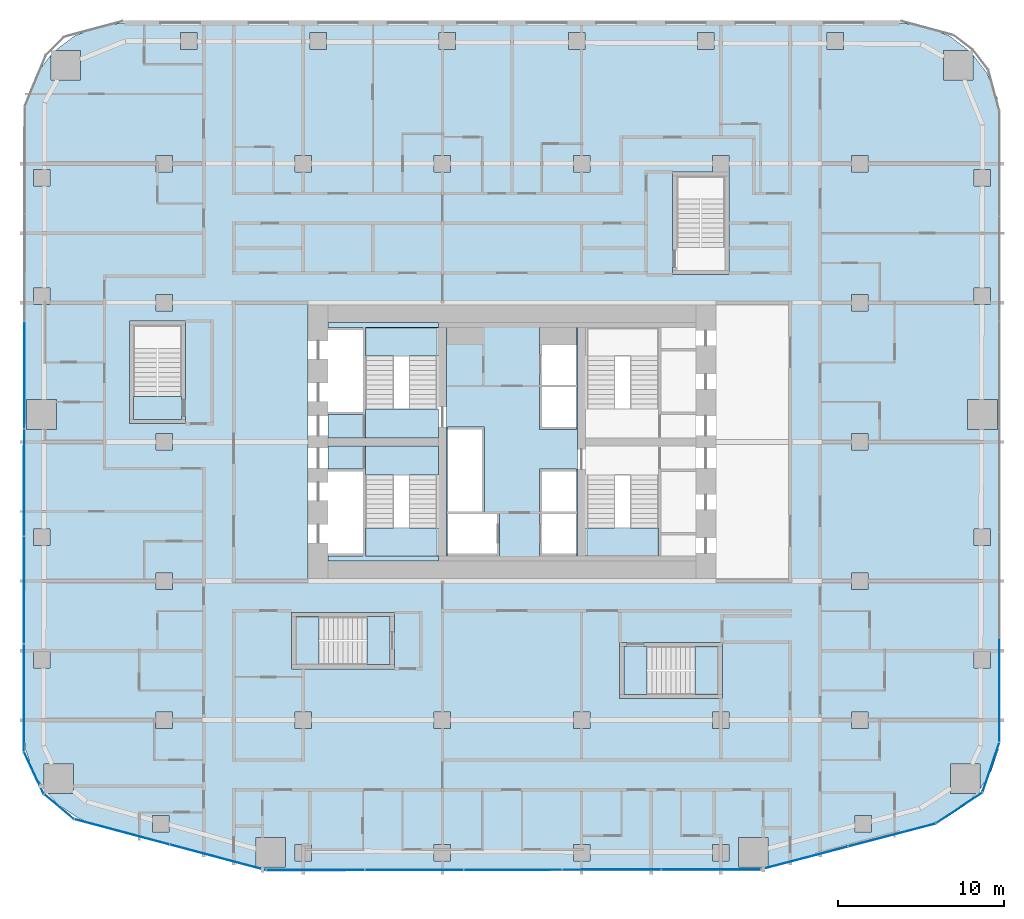
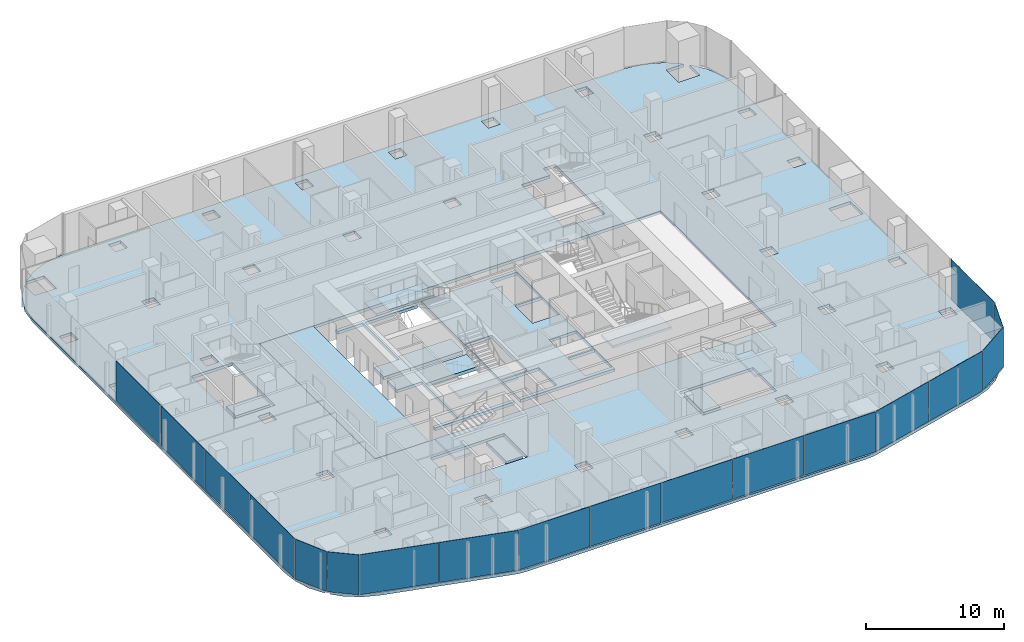
# One storey, part 14 of 26: 18 plates, 15 slabs, 14 elements without a shape of their own.
"""IFC4 building model written with IfcOpenShell, lengths in metres."""

from ifc_helpers import new_model, si_unit, direction, frame, origin, origin_2d, place, context, subcontext, project, spatial, polyline, rectangle, outline, extrude, material, layer, layer_set, type_object, element, aggregate, save


model = new_model("IFC4")

# Units and contexts
model_context = context("Model", 3, precision=1e-05, world=origin(), true_north=direction((0.0, 1.0)))
body_context = subcontext(model_context, "Body", "Model", "MODEL_VIEW")
ifc_project = project(units=[si_unit("LENGTHUNIT", "METRE"), si_unit("AREAUNIT", "SQUARE_METRE"), si_unit("VOLUMEUNIT", "CUBIC_METRE"), si_unit("PLANEANGLEUNIT", "RADIAN"), si_unit("MASSUNIT", "GRAM", prefix="KILO")], contexts=[model_context])

# Site, building, storey
site_placement = place(None, origin())
site = spatial("IfcSite", under=ifc_project, at=site_placement, CompositionType="ELEMENT")
building_placement = place(site_placement, origin())
building = spatial("IfcBuilding", under=site, at=building_placement, Name="Marenta Gate Hotel Tower", CompositionType="ELEMENT")
storey_placement = place(building_placement, frame((0.0, 0.0, 72.5)))
storey = spatial("IfcBuildingStorey", under=building, at=storey_placement, Name="L16", CompositionType="ELEMENT", Elevation=72.5)

# Slabs
ifc_material_1 = material(Name="Concrete C35", Category="concrete")
ifc_layer_1 = layer(ifc_material_1, 0.260009765625)
ifc_layer_set_1 = layer_set([ifc_layer_1], Name="Concrete C35")
slab_type_1 = type_object("IfcSlabType", Name="Concrete floor slab 260", PredefinedType="FLOOR", material=ifc_layer_set_1)
slab_1_placement = place(storey_placement, frame((0.0, 0.0, -0.260009765625)))
element("IfcSlab", 1, at=slab_1_placement, inside=storey, type_object=slab_type_1, Name="L16-SL-1", PredefinedType="FLOOR", context=body_context, shape_type="SweptSolid", body=[
    extrude(outline(polyline([(-27.313720703125, -13.56396484375), (-28.015625, -12.8330078125), (-26.462890625, -12.8330078125), (-26.462890625, -11.032958984375), (-28.262939453125, -11.032958984375), (-28.262939453125, -12.55859375), (-28.927001953125, -11.467041015625), (-29.35546875, -10.20703125), (-29.5, -8.889892578125), (-29.5, 27.6064453125), (-29.29296875, 29.178955078125), (-28.68359375, 30.650390625), (-27.83544921875, 31.755615234375), (-27.83544921875, 30.235595703125), (-26.035400390625, 30.235595703125), (-26.035400390625, 32.035400390625), (-27.555419921875, 32.035400390625), (-26.450439453125, 32.883544921875), (-24.97900390625, 33.492919921875), (-23.406494140625, 33.699951171875), (23.406494140625, 33.699951171875), (24.97900390625, 33.492919921875), (26.450439453125, 32.883544921875), (27.555419921875, 32.035400390625), (26.035400390625, 32.035400390625), (26.035400390625, 30.235595703125), (27.83544921875, 30.235595703125), (27.83544921875, 31.755615234375), (28.68359375, 30.650390625), (29.29296875, 29.178955078125), (29.5, 27.6064453125), (29.5, -8.889892578125), (29.35546875, -10.20703125), (28.927001953125, -11.467041015625), (28.262939453125, -12.55859375), (28.262939453125, -11.032958984375), (26.462890625, -11.032958984375), (26.462890625, -12.8330078125), (28.015625, -12.8330078125), (27.313720703125, -13.56396484375), (26.205810546875, -14.30126953125), (24.969482421875, -14.77880859375), (15.2265625, -17.36376953125), (14.70849609375, -17.4658203125), (14.181640625, -17.5), (-14.181640625, -17.5), (-14.70849609375, -17.4658203125), (-15.2265625, -17.36376953125), (-24.969482421875, -14.77880859375), (-26.205810546875, -14.30126953125), (-27.313720703125, -13.56396484375)]), holes=[polyline([(-16.800048828125, 0.0), (16.800048828125, 0.0), (16.800048828125, 16.800048828125), (-16.800048828125, 16.800048828125), (-16.800048828125, 0.0)]), polyline([(-13.666259765625, -15.474853515625), (-15.46630859375, -15.474853515625), (-15.46630859375, -17.27490234375), (-13.666259765625, -17.27490234375), (-13.666259765625, -15.474853515625)]), polyline([(-20.706787109375, -14.13916015625), (-21.706787109375, -14.13916015625), (-21.706787109375, -15.13916015625), (-20.706787109375, -15.13916015625), (-20.706787109375, -14.13916015625)]), polyline([(-20.5, -8.89990234375), (-20.5, -7.89990234375), (-21.5, -7.89990234375), (-21.5, -8.89990234375), (-20.5, -8.89990234375)]), polyline([(-12.10009765625, -8.89990234375), (-12.10009765625, -7.89990234375), (-13.10009765625, -7.89990234375), (-13.10009765625, -8.89990234375), (-12.10009765625, -8.89990234375)]), polyline([(-27.89990234375, -4.251953125), (-28.89990234375, -4.251953125), (-28.89990234375, -5.251953125), (-27.89990234375, -5.251953125), (-27.89990234375, -4.251953125)]), polyline([(-20.5, -0.5), (-20.5, 0.5), (-21.5, 0.5), (-21.5, -0.5), (-20.5, -0.5)]), polyline([(-27.89990234375, 2.149169921875), (-27.89990234375, 3.149169921875), (-28.89990234375, 3.149169921875), (-28.89990234375, 2.149169921875), (-27.89990234375, 2.149169921875)]), polyline([(-20.5, 8.89990234375), (-21.5, 8.89990234375), (-21.5, 7.89990234375), (-20.5, 7.89990234375), (-20.5, 8.89990234375)]), polyline([(-27.5, 9.14990234375), (-27.5, 10.949951171875), (-29.300048828125, 10.949951171875), (-29.300048828125, 9.14990234375), (-27.5, 9.14990234375)]), polyline([(-20.5, 16.300048828125), (-20.5, 17.300048828125), (-21.5, 17.300048828125), (-21.5, 16.300048828125), (-20.5, 16.300048828125)]), polyline([(-27.89990234375, 17.703125), (-28.89990234375, 17.703125), (-28.89990234375, 16.703125), (-27.89990234375, 16.703125), (-27.89990234375, 17.703125)]), polyline([(-27.89990234375, 23.8564453125), (-27.89990234375, 24.8564453125), (-28.89990234375, 24.8564453125), (-28.89990234375, 23.8564453125), (-27.89990234375, 23.8564453125)]), polyline([(-20.5, 24.699951171875), (-20.5, 25.699951171875), (-21.5, 25.699951171875), (-21.5, 24.699951171875), (-20.5, 24.699951171875)]), polyline([(-19.0068359375, 32.10009765625), (-19.0068359375, 33.10009765625), (-20.0068359375, 33.10009765625), (-20.0068359375, 32.10009765625), (-19.0068359375, 32.10009765625)]), polyline([(-12.10009765625, -16.89990234375), (-12.10009765625, -15.89990234375), (-13.10009765625, -15.89990234375), (-13.10009765625, -16.89990234375), (-12.10009765625, -16.89990234375)]), polyline([(-3.699951171875, -15.89990234375), (-4.699951171875, -15.89990234375), (-4.699951171875, -16.89990234375), (-3.699951171875, -16.89990234375), (-3.699951171875, -15.89990234375)]), polyline([(4.699951171875, -16.89990234375), (4.699951171875, -15.89990234375), (3.699951171875, -15.89990234375), (3.699951171875, -16.89990234375), (4.699951171875, -16.89990234375)]), polyline([(13.10009765625, -16.89990234375), (13.10009765625, -15.89990234375), (12.10009765625, -15.89990234375), (12.10009765625, -16.89990234375), (13.10009765625, -16.89990234375)]), polyline([(15.46630859375, -15.474853515625), (13.666259765625, -15.474853515625), (13.666259765625, -17.27490234375), (15.46630859375, -17.27490234375), (15.46630859375, -15.474853515625)]), polyline([(-3.699951171875, -8.89990234375), (-3.699951171875, -7.89990234375), (-4.699951171875, -7.89990234375), (-4.699951171875, -8.89990234375), (-3.699951171875, -8.89990234375)]), polyline([(4.699951171875, -8.89990234375), (4.699951171875, -7.89990234375), (3.699951171875, -7.89990234375), (3.699951171875, -8.89990234375), (4.699951171875, -8.89990234375)]), polyline([(13.10009765625, -7.89990234375), (12.10009765625, -7.89990234375), (12.10009765625, -8.89990234375), (13.10009765625, -8.89990234375), (13.10009765625, -7.89990234375)]), polyline([(-12.10009765625, 25.699951171875), (-13.10009765625, 25.699951171875), (-13.10009765625, 24.699951171875), (-12.10009765625, 24.699951171875), (-12.10009765625, 25.699951171875)]), polyline([(-3.699951171875, 25.699951171875), (-4.699951171875, 25.699951171875), (-4.699951171875, 24.699951171875), (-3.699951171875, 24.699951171875), (-3.699951171875, 25.699951171875)]), polyline([(4.699951171875, 24.699951171875), (4.699951171875, 25.699951171875), (3.699951171875, 25.699951171875), (3.699951171875, 24.699951171875), (4.699951171875, 24.699951171875)]), polyline([(13.10009765625, 25.699951171875), (12.10009765625, 25.699951171875), (12.10009765625, 24.699951171875), (9.699951171875, 24.699951171875), (9.699951171875, 18.5), (13.10009765625, 18.5), (13.10009765625, 25.699951171875)]), polyline([(-11.2041015625, 33.10009765625), (-12.2041015625, 33.10009765625), (-12.2041015625, 32.10009765625), (-11.2041015625, 32.10009765625), (-11.2041015625, 33.10009765625)]), polyline([(-3.4013671875, 32.10009765625), (-3.4013671875, 33.10009765625), (-4.4013671875, 33.10009765625), (-4.4013671875, 32.10009765625), (-3.4013671875, 32.10009765625)]), polyline([(4.4013671875, 32.10009765625), (4.4013671875, 33.10009765625), (3.4013671875, 33.10009765625), (3.4013671875, 32.10009765625), (4.4013671875, 32.10009765625)]), polyline([(12.2041015625, 33.10009765625), (11.2041015625, 33.10009765625), (11.2041015625, 32.10009765625), (12.2041015625, 32.10009765625), (12.2041015625, 33.10009765625)]), polyline([(21.706787109375, -15.13916015625), (21.706787109375, -14.13916015625), (20.706787109375, -14.13916015625), (20.706787109375, -15.13916015625), (21.706787109375, -15.13916015625)]), polyline([(21.5, -7.89990234375), (20.5, -7.89990234375), (20.5, -8.89990234375), (21.5, -8.89990234375), (21.5, -7.89990234375)]), polyline([(28.89990234375, -5.251953125), (28.89990234375, -4.251953125), (27.89990234375, -4.251953125), (27.89990234375, -5.251953125), (28.89990234375, -5.251953125)]), polyline([(21.5, -0.5), (21.5, 0.5), (20.5, 0.5), (20.5, -0.5), (21.5, -0.5)]), polyline([(28.89990234375, 3.149169921875), (27.89990234375, 3.149169921875), (27.89990234375, 2.149169921875), (28.89990234375, 2.149169921875), (28.89990234375, 3.149169921875)]), polyline([(21.5, 7.89990234375), (21.5, 8.89990234375), (20.5, 8.89990234375), (20.5, 7.89990234375), (21.5, 7.89990234375)]), polyline([(29.300048828125, 9.14990234375), (29.300048828125, 10.949951171875), (27.5, 10.949951171875), (27.5, 9.14990234375), (29.300048828125, 9.14990234375)]), polyline([(21.5, 17.300048828125), (20.5, 17.300048828125), (20.5, 16.300048828125), (21.5, 16.300048828125), (21.5, 17.300048828125)]), polyline([(28.89990234375, 16.703125), (28.89990234375, 17.703125), (27.89990234375, 17.703125), (27.89990234375, 16.703125), (28.89990234375, 16.703125)]), polyline([(28.89990234375, 23.8564453125), (28.89990234375, 24.8564453125), (27.89990234375, 24.8564453125), (27.89990234375, 23.8564453125), (28.89990234375, 23.8564453125)]), polyline([(21.5, 25.699951171875), (20.5, 25.699951171875), (20.5, 24.699951171875), (21.5, 24.699951171875), (21.5, 25.699951171875)]), polyline([(20.0068359375, 32.10009765625), (20.0068359375, 33.10009765625), (19.0068359375, 33.10009765625), (19.0068359375, 32.10009765625), (20.0068359375, 32.10009765625)]), polyline([(6.5, -7.10009765625), (12.699951171875, -7.10009765625), (12.699951171875, -3.699951171875), (6.5, -3.699951171875), (6.5, -7.10009765625)]), polyline([(-13.300048828125, -5.300048828125), (-7.10009765625, -5.300048828125), (-7.10009765625, -1.89990234375), (-13.300048828125, -1.89990234375), (-13.300048828125, -5.300048828125)]), polyline([(-23.10009765625, 9.5), (-19.699951171875, 9.5), (-19.699951171875, 15.699951171875), (-23.10009765625, 15.699951171875), (-23.10009765625, 9.5)])]), origin(), (0.0, 0.0, 1.0), 0.260009765625),
])
ifc_material_2 = material(Name="Concrete C40", Category="concrete")
ifc_layer_2 = layer(ifc_material_2, 0.260009765625)
ifc_layer_set_2 = layer_set([ifc_layer_2], Name="Concrete C40")
slab_type_2 = type_object("IfcSlabType", Name="Core floor slab 260", PredefinedType="FLOOR", material=ifc_layer_set_2)
slab_2_placement = place(storey_placement, frame((0.0, 0.0, -0.260009765625)))
element("IfcSlab", 2, at=slab_2_placement, inside=storey, type_object=slab_type_2, Name="L16-CF-4", PredefinedType="FLOOR", context=body_context, shape_type="SweptSolid", body=[
    extrude(outline(polyline([(3.949951171875, 15.300048828125), (3.949951171875, 10.39990234375), (3.949951171875, 6.39990234375), (3.949951171875, 1.5), (3.949951171875, 1.199951171875), (-3.949951171875, 1.199951171875), (-3.949951171875, 1.5), (-3.949951171875, 6.39990234375), (-3.949951171875, 10.39990234375), (-3.949951171875, 15.300048828125), (-3.949951171875, 15.60009765625), (3.949951171875, 15.60009765625), (3.949951171875, 15.300048828125)]), holes=[polyline([(1.64990234375, 4.050048828125), (1.64990234375, 1.64990234375), (1.64990234375, 1.5), (3.89990234375, 1.5), (3.89990234375, 1.64990234375), (3.89990234375, 4.050048828125), (1.800048828125, 4.050048828125), (1.64990234375, 4.050048828125)]), polyline([(1.64990234375, 9.14990234375), (3.89990234375, 9.14990234375), (3.89990234375, 9.300048828125), (3.89990234375, 11.699951171875), (1.800048828125, 11.699951171875), (1.64990234375, 11.699951171875), (1.64990234375, 9.300048828125), (1.64990234375, 9.14990234375)]), polyline([(1.64990234375, 11.85009765625), (1.800048828125, 11.85009765625), (3.89990234375, 11.85009765625), (3.89990234375, 14.25), (3.89990234375, 15.300048828125), (1.64990234375, 15.300048828125), (1.64990234375, 14.25), (1.64990234375, 11.85009765625)]), polyline([(3.89990234375, 6.60009765625), (3.89990234375, 6.75), (1.64990234375, 6.75), (1.64990234375, 6.60009765625), (1.64990234375, 4.199951171875), (1.800048828125, 4.199951171875), (3.89990234375, 4.199951171875), (3.89990234375, 6.60009765625)]), polyline([(-3.89990234375, 1.5), (-0.89990234375, 1.5), (-0.75, 1.5), (-0.75, 4.050048828125), (-0.89990234375, 4.050048828125), (-3.89990234375, 4.050048828125), (-3.89990234375, 1.64990234375), (-3.89990234375, 1.5)]), polyline([(-1.64990234375, 4.199951171875), (-1.64990234375, 9.14990234375), (-1.64990234375, 9.300048828125), (-3.89990234375, 9.300048828125), (-3.89990234375, 9.14990234375), (-3.89990234375, 6.75), (-3.89990234375, 6.60009765625), (-3.89990234375, 4.199951171875), (-1.800048828125, 4.199951171875), (-1.64990234375, 4.199951171875)])]), origin(), (0.0, 0.0, 1.0), 0.260009765625),
])
slab_3_placement = place(storey_placement, frame((0.0, 0.0, -0.260009765625)))
element("IfcSlab", 3, at=slab_3_placement, inside=storey, type_object=slab_type_2, Name="L16-CF-5", PredefinedType="FLOOR", context=body_context, shape_type="SweptSolid", body=[
    extrude(outline(polyline([(-9.0, 1.5), (-9.0, 1.64990234375), (-9.0, 4.050048828125), (-9.0, 4.199951171875), (-9.0, 6.60009765625), (-9.0, 6.75), (-11.10009765625, 6.75), (-11.10009765625, 8.14990234375), (-8.85009765625, 8.14990234375), (-8.85009765625, 8.10009765625), (-8.85009765625, 6.39990234375), (-8.85009765625, 1.5), (-4.449951171875, 1.5), (-4.449951171875, 1.199951171875), (-11.10009765625, 1.199951171875), (-11.10009765625, 1.5), (-9.0, 1.5)])), origin(), (0.0, 0.0, 1.0), 0.260009765625),
])
slab_4_placement = place(storey_placement, frame((0.0, 0.0, -0.260009765625)))
element("IfcSlab", 4, at=slab_4_placement, inside=storey, type_object=slab_type_2, Name="L16-CF-6", PredefinedType="FLOOR", context=body_context, shape_type="SweptSolid", body=[
    extrude(outline(polyline([(-4.449951171875, 15.300048828125), (-8.85009765625, 15.300048828125), (-8.85009765625, 10.39990234375), (-8.85009765625, 8.699951171875), (-8.85009765625, 8.64990234375), (-11.10009765625, 8.64990234375), (-11.10009765625, 10.050048828125), (-9.0, 10.050048828125), (-9.0, 10.199951171875), (-9.0, 12.60009765625), (-9.0, 12.75), (-9.0, 15.14990234375), (-9.0, 15.300048828125), (-11.10009765625, 15.300048828125), (-11.10009765625, 15.60009765625), (-4.449951171875, 15.60009765625), (-4.449951171875, 15.300048828125)])), origin(), (0.0, 0.0, 1.0), 0.260009765625),
])
slab_5_placement = place(storey_placement, frame((0.0, 0.0, -0.260009765625)))
element("IfcSlab", 5, at=slab_5_placement, inside=storey, type_object=slab_type_2, Name="L16-CF-7", PredefinedType="FLOOR", context=body_context, shape_type="SweptSolid", body=[
    extrude(outline(polyline([(-12.300048828125, 16.800048828125), (-12.300048828125, 0.0), (-16.800048828125, 0.0), (-16.800048828125, 16.800048828125), (-12.300048828125, 16.800048828125)])), origin(), (0.0, 0.0, 1.0), 0.260009765625),
])

# Stair, slab
ifc_material_3 = material(Name="Concrete C40", Category="concrete")
stair_type_1 = type_object("IfcStairType", Name="Core exit stair 1700 wide", PredefinedType="HALF_TURN_STAIR", material=ifc_material_3)
stair_1_placement = place(storey_placement, origin())
stair_1 = element("IfcStair", 6, at=stair_1_placement, inside=storey, type_object=stair_type_1, Name="Exit stair 1", PredefinedType="HALF_TURN_STAIR")
ifc_material_4 = material(Name="Concrete C40", Category="concrete")
ifc_layer_3 = layer(ifc_material_4, 0.199951171875)
ifc_layer_set_3 = layer_set([ifc_layer_3], Name="Concrete C40")
slab_type_3 = type_object("IfcSlabType", Name="Core stair landing 200", PredefinedType="LANDING", material=ifc_layer_set_3)
slab_6_placement = place(storey_placement, frame((0.0, 0.0, 1.60009765625)))
slab_6 = element("IfcSlab", 7, at=slab_6_placement, type_object=slab_type_3, Name="SL-200 ST1 landing 1", PredefinedType="LANDING", context=body_context, shape_type="SweptSolid", body=[
    extrude(outline(polyline([(-8.85009765625, 1.5), (-3.949951171875, 1.5), (-3.949951171875, 3.2099609375), (-8.85009765625, 3.2099609375), (-8.85009765625, 1.5)])), origin(), (0.0, 0.0, 1.0), 0.199951171875),
])
aggregate(stair_1, [slab_6])

stair_2_placement = place(storey_placement, origin())
stair_2 = element("IfcStair", 8, at=stair_2_placement, inside=storey, type_object=stair_type_1, Name="Exit stair 2", PredefinedType="HALF_TURN_STAIR")
slab_7_placement = place(storey_placement, frame((0.0, 0.0, 1.60009765625)))
slab_7 = element("IfcSlab", 9, at=slab_7_placement, type_object=slab_type_3, Name="SL-200 ST2 landing 1", PredefinedType="LANDING", context=body_context, shape_type="SweptSolid", body=[
    extrude(outline(polyline([(-8.85009765625, 13.590087890625), (-3.949951171875, 13.590087890625), (-3.949951171875, 15.300048828125), (-8.85009765625, 15.300048828125), (-8.85009765625, 13.590087890625)])), origin(), (0.0, 0.0, 1.0), 0.199951171875),
])
aggregate(stair_2, [slab_7])

stair_3_placement = place(storey_placement, origin())
stair_3 = element("IfcStair", 10, at=stair_3_placement, inside=storey, type_object=stair_type_1, Name="Exit stair 3", PredefinedType="HALF_TURN_STAIR")
slab_8_placement = place(storey_placement, frame((0.0, 0.0, 1.60009765625)))
slab_8 = element("IfcSlab", 11, at=slab_8_placement, type_object=slab_type_3, Name="SL-200 ST3 landing 1", PredefinedType="LANDING", context=body_context, shape_type="SweptSolid", body=[
    extrude(outline(polyline([(3.949951171875, 1.5), (8.85009765625, 1.5), (8.85009765625, 3.2099609375), (3.949951171875, 3.2099609375), (3.949951171875, 1.5)])), origin(), (0.0, 0.0, 1.0), 0.199951171875),
])
aggregate(stair_3, [slab_8])

# Curtain wall, plates
ifc_material_5 = material(Name="Tinted insulated glass in bronze anodised frame", Category="glass")
ifc_layer_4 = layer(ifc_material_5, 0.1201171875)
ifc_layer_set_4 = layer_set([ifc_layer_4], Name="Tinted insulated glass in bronze anodised frame")
curtain_wall_type = type_object("IfcCurtainWallType", Name="Tower unitised curtain wall CW1", PredefinedType="NOTDEFINED", material=ifc_layer_set_4)
curtain_wall_1_placement = place(storey_placement, origin())
curtain_wall_1 = element("IfcCurtainWall", 12, at=curtain_wall_1_placement, inside=storey, type_object=curtain_wall_type, Name="CW1 run G03", PredefinedType="NOTDEFINED")
ifc_material_6 = material(Name="Tinted insulated glass", Category="glass")
ifc_layer_5 = layer(ifc_material_6, 0.028076171875)
ifc_layer_set_5 = layer_set([ifc_layer_5], Name="Tinted insulated glass")
plate_type = type_object("IfcPlateType", Name="Glass panel CW1 28 mm tinted insulated unit", PredefinedType="CURTAIN_PANEL", material=ifc_layer_set_5)
plate_1_placement = place(storey_placement, frame((-29.437744140625, 12.440185546875, 0.06005859375), z_axis=(0.0, 0.0, 1.0), x_axis=(-0.00156642217, -0.99999877316, 0.0)))
plate_1 = element("IfcPlate", 13, at=plate_1_placement, type_object=plate_type, Name="CW1 panel 3.1", PredefinedType="CURTAIN_PANEL", context=body_context, shape_type="SweptSolid", body=[
    extrude(rectangle(XDim=6.430419921875, YDim=0.028076171875, at=origin_2d()), origin(), (0.0, 0.0, 1.0), 3.5400390625),
])
plate_2_placement = place(storey_placement, frame((-29.447998046875, 5.949951171875, 0.06005859375), z_axis=(0.0, 0.0, 1.0), x_axis=(-0.00156642217, -0.99999877316, 0.0)))
plate_2 = element("IfcPlate", 14, at=plate_2_placement, type_object=plate_type, Name="CW1 panel 4.1", PredefinedType="CURTAIN_PANEL", context=body_context, shape_type="SweptSolid", body=[
    extrude(rectangle(XDim=6.430419921875, YDim=0.028076171875, at=origin_2d()), origin(), (0.0, 0.0, 1.0), 3.5400390625),
])
plate_3_placement = place(storey_placement, frame((-29.4580078125, -0.54052734375, 0.06005859375), z_axis=(0.0, 0.0, 1.0), x_axis=(-0.00156642217, -0.99999877316, 0.0)))
plate_3 = element("IfcPlate", 15, at=plate_3_placement, type_object=plate_type, Name="CW1 panel 5.1", PredefinedType="CURTAIN_PANEL", context=body_context, shape_type="SweptSolid", body=[
    extrude(rectangle(XDim=6.430419921875, YDim=0.028076171875, at=origin_2d()), origin(), (0.0, 0.0, 1.0), 3.5400390625),
])
plate_4_placement = place(storey_placement, frame((-29.46826171875, -7.0458984375, 0.06005859375), z_axis=(0.0, 0.0, 1.0), x_axis=(-0.00156642217, -0.99999877316, 0.0)))
plate_4 = element("IfcPlate", 16, at=plate_4_placement, type_object=plate_type, Name="CW1 panel 6.1", PredefinedType="CURTAIN_PANEL", context=body_context, shape_type="SweptSolid", body=[
    extrude(rectangle(XDim=6.46044921875, YDim=0.028076171875, at=origin_2d()), origin(), (0.0, 0.0, 1.0), 3.5400390625),
])
aggregate(curtain_wall_1, [plate_1, plate_2, plate_3, plate_4])

# Curtain wall, plate
curtain_wall_2_placement = place(storey_placement, origin())
curtain_wall_2 = element("IfcCurtainWall", 17, at=curtain_wall_2_placement, inside=storey, type_object=curtain_wall_type, Name="CW1 run G04", PredefinedType="NOTDEFINED")
plate_5_placement = place(storey_placement, frame((-28.861083984375, -11.5859375, 0.06005859375), z_axis=(0.0, 0.0, 1.0), x_axis=(0.423341617441, -0.905970129167, 0.0)))
plate_5 = element("IfcPlate", 18, at=plate_5_placement, type_object=plate_type, Name="CW1 panel 1.1", PredefinedType="CURTAIN_PANEL", context=body_context, shape_type="SweptSolid", body=[
    extrude(rectangle(XDim=2.77197265625, YDim=0.028076171875, at=origin_2d()), origin(), (0.0, 0.0, 1.0), 3.5400390625),
])
aggregate(curtain_wall_2, [plate_5])

curtain_wall_3_placement = place(storey_placement, origin())
curtain_wall_3 = element("IfcCurtainWall", 19, at=curtain_wall_3_placement, inside=storey, type_object=curtain_wall_type, Name="CW1 run G05", PredefinedType="NOTDEFINED")
plate_6_placement = place(storey_placement, frame((-27.33984375, -13.623291015625, 0.06005859375), z_axis=(0.0, 0.0, 1.0), x_axis=(0.767113012445, -0.641511984407, 0.0)))
plate_6 = element("IfcPlate", 20, at=plate_6_placement, type_object=plate_type, Name="CW1 panel 1.1", PredefinedType="CURTAIN_PANEL", context=body_context, shape_type="SweptSolid", body=[
    extrude(rectangle(XDim=2.316650390625, YDim=0.028076171875, at=origin_2d()), origin(), (0.0, 0.0, 1.0), 3.5400390625),
])
aggregate(curtain_wall_3, [plate_6])

# Curtain wall, plates
curtain_wall_4_placement = place(storey_placement, origin())
curtain_wall_4 = element("IfcCurtainWall", 21, at=curtain_wall_4_placement, inside=storey, type_object=curtain_wall_type, Name="CW1 run G06", PredefinedType="NOTDEFINED")
plate_7_placement = place(storey_placement, frame((-23.541748046875, -15.140625, 0.06005859375), z_axis=(0.0, 0.0, 1.0), x_axis=(0.966373715782, -0.257141675823, 0.0)))
plate_7 = element("IfcPlate", 22, at=plate_7_placement, type_object=plate_type, Name="CW1 panel 1.1", PredefinedType="CURTAIN_PANEL", context=body_context, shape_type="SweptSolid", body=[
    extrude(rectangle(XDim=5.90185546875, YDim=0.028076171875, at=origin_2d()), origin(), (0.0, 0.0, 1.0), 3.5400390625),
])
plate_8_placement = place(storey_placement, frame((-17.751220703125, -16.681396484375, 0.06005859375), z_axis=(0.0, 0.0, 1.0), x_axis=(0.966373715782, -0.257141675823, 0.0)))
plate_8 = element("IfcPlate", 23, at=plate_8_placement, type_object=plate_type, Name="CW1 panel 2.1", PredefinedType="CURTAIN_PANEL", context=body_context, shape_type="SweptSolid", body=[
    extrude(rectangle(XDim=5.9619140625, YDim=0.028076171875, at=origin_2d()), origin(), (0.0, 0.0, 1.0), 3.5400390625),
])
aggregate(curtain_wall_4, [plate_7, plate_8])

curtain_wall_5_placement = place(storey_placement, origin())
curtain_wall_5 = element("IfcCurtainWall", 24, at=curtain_wall_5_placement, inside=storey, type_object=curtain_wall_type, Name="CW1 run G07", PredefinedType="NOTDEFINED")
plate_9_placement = place(storey_placement, frame((-11.869140625, -17.4443359375, 0.06005859375), z_axis=(0.0, 0.0, 1.0), x_axis=(0.999999324969, 0.001161921639, 0.0)))
plate_9 = element("IfcPlate", 25, at=plate_9_placement, type_object=plate_type, Name="CW1 panel 1.1", PredefinedType="CURTAIN_PANEL", context=body_context, shape_type="SweptSolid", body=[
    extrude(rectangle(XDim=5.8828125, YDim=0.028076171875, at=origin_2d()), origin(), (0.0, 0.0, 1.0), 3.5400390625),
])
plate_10_placement = place(storey_placement, frame((-5.911376953125, -17.4375, 0.06005859375), z_axis=(0.0, 0.0, 1.0), x_axis=(0.999999324969, 0.001161921639, 0.0)))
plate_10 = element("IfcPlate", 26, at=plate_10_placement, type_object=plate_type, Name="CW1 panel 2.1", PredefinedType="CURTAIN_PANEL", context=body_context, shape_type="SweptSolid", body=[
    extrude(rectangle(XDim=5.912841796875, YDim=0.028076171875, at=origin_2d()), origin(), (0.0, 0.0, 1.0), 3.5400390625),
])
plate_11_placement = place(storey_placement, frame((0.0615234375, -17.430419921875, 0.06005859375), z_axis=(0.0, 0.0, 1.0), x_axis=(0.999999324969, 0.001161921639, 0.0)))
plate_11 = element("IfcPlate", 27, at=plate_11_placement, type_object=plate_type, Name="CW1 panel 3.1", PredefinedType="CURTAIN_PANEL", context=body_context, shape_type="SweptSolid", body=[
    extrude(rectangle(XDim=5.912841796875, YDim=0.028076171875, at=origin_2d()), origin(), (0.0, 0.0, 1.0), 3.5400390625),
])
plate_12_placement = place(storey_placement, frame((6.034423828125, -17.423583984375, 0.06005859375), z_axis=(0.0, 0.0, 1.0), x_axis=(0.999999324969, 0.001161921639, 0.0)))
plate_12 = element("IfcPlate", 28, at=plate_12_placement, type_object=plate_type, Name="CW1 panel 4.1", PredefinedType="CURTAIN_PANEL", context=body_context, shape_type="SweptSolid", body=[
    extrude(rectangle(XDim=5.912841796875, YDim=0.028076171875, at=origin_2d()), origin(), (0.0, 0.0, 1.0), 3.5400390625),
])
plate_13_placement = place(storey_placement, frame((12.022216796875, -17.41650390625, 0.06005859375), z_axis=(0.0, 0.0, 1.0), x_axis=(0.999999324969, 0.001161921639, 0.0)))
plate_13 = element("IfcPlate", 29, at=plate_13_placement, type_object=plate_type, Name="CW1 panel 5.1", PredefinedType="CURTAIN_PANEL", context=body_context, shape_type="SweptSolid", body=[
    extrude(rectangle(XDim=5.94287109375, YDim=0.028076171875, at=origin_2d()), origin(), (0.0, 0.0, 1.0), 3.5400390625),
])
aggregate(curtain_wall_5, [plate_9, plate_10, plate_11, plate_12, plate_13])

curtain_wall_6_placement = place(storey_placement, origin())
curtain_wall_6 = element("IfcCurtainWall", 30, at=curtain_wall_6_placement, inside=storey, type_object=curtain_wall_type, Name="CW1 run G08", PredefinedType="NOTDEFINED")
plate_14_placement = place(storey_placement, frame((17.651611328125, -16.717041015625, 0.06005859375), z_axis=(0.0, 0.0, 1.0), x_axis=(0.967368966674, 0.25337182621, 0.0)))
plate_14 = element("IfcPlate", 31, at=plate_14_placement, type_object=plate_type, Name="CW1 panel 1.1", PredefinedType="CURTAIN_PANEL", context=body_context, shape_type="SweptSolid", body=[
    extrude(rectangle(XDim=5.375244140625, YDim=0.028076171875, at=origin_2d()), origin(), (0.0, 0.0, 1.0), 3.5400390625),
])
plate_15_placement = place(storey_placement, frame((22.938720703125, -15.332275390625, 0.06005859375), z_axis=(0.0, 0.0, 1.0), x_axis=(0.967368966674, 0.25337182621, 0.0)))
plate_15 = element("IfcPlate", 32, at=plate_15_placement, type_object=plate_type, Name="CW1 panel 2.1", PredefinedType="CURTAIN_PANEL", context=body_context, shape_type="SweptSolid", body=[
    extrude(rectangle(XDim=5.435302734375, YDim=0.028076171875, at=origin_2d()), origin(), (0.0, 0.0, 1.0), 3.5400390625),
])
aggregate(curtain_wall_6, [plate_14, plate_15])

# Curtain wall, plate
curtain_wall_7_placement = place(storey_placement, origin())
curtain_wall_7 = element("IfcCurtainWall", 33, at=curtain_wall_7_placement, inside=storey, type_object=curtain_wall_type, Name="CW1 run G09", PredefinedType="NOTDEFINED")
plate_16_placement = place(storey_placement, frame((27.006591796875, -13.685791015625, 0.06005859375), z_axis=(0.0, 0.0, 1.0), x_axis=(0.832493824282, 0.554034324326, 0.0)))
plate_16 = element("IfcPlate", 34, at=plate_16_placement, type_object=plate_type, Name="CW1 panel 1.1", PredefinedType="CURTAIN_PANEL", context=body_context, shape_type="SweptSolid", body=[
    extrude(rectangle(XDim=3.33740234375, YDim=0.028076171875, at=origin_2d()), origin(), (0.0, 0.0, 1.0), 3.5400390625),
])
aggregate(curtain_wall_7, [plate_16])

curtain_wall_8_placement = place(storey_placement, origin())
curtain_wall_8 = element("IfcCurtainWall", 35, at=curtain_wall_8_placement, inside=storey, type_object=curtain_wall_type, Name="CW1 run G10", PredefinedType="NOTDEFINED")
plate_17_placement = place(storey_placement, frame((28.91455078125, -11.236328125, 0.06005859375), z_axis=(0.0, 0.0, 1.0), x_axis=(0.322028604337, 0.946729939312, 0.0)))
plate_17 = element("IfcPlate", 36, at=plate_17_placement, type_object=plate_type, Name="CW1 panel 1.1", PredefinedType="CURTAIN_PANEL", context=body_context, shape_type="SweptSolid", body=[
    extrude(rectangle(XDim=3.101806640625, YDim=0.028076171875, at=origin_2d()), origin(), (0.0, 0.0, 1.0), 3.5400390625),
])
aggregate(curtain_wall_8, [plate_17])

curtain_wall_9_placement = place(storey_placement, origin())
curtain_wall_9 = element("IfcCurtainWall", 37, at=curtain_wall_9_placement, inside=storey, type_object=curtain_wall_type, Name="CW1 run G11", PredefinedType="NOTDEFINED")
plate_18_placement = place(storey_placement, frame((29.4140625, -6.572998046875, 0.06005859375), z_axis=(0.0, 0.0, 1.0), x_axis=(0.0, 1.0, 0.0)))
plate_18 = element("IfcPlate", 38, at=plate_18_placement, type_object=plate_type, Name="CW1 panel 1.1", PredefinedType="CURTAIN_PANEL", context=body_context, shape_type="SweptSolid", body=[
    extrude(rectangle(XDim=6.27001953125, YDim=0.028076171875, at=origin_2d()), origin(), (0.0, 0.0, 1.0), 3.5400390625),
])
aggregate(curtain_wall_9, [plate_18])

# Stair, slab
ifc_material_7 = material(Name="Concrete C40", Category="concrete")
stair_type_2 = type_object("IfcStairType", Name="Remote exit stair 1400 wide", PredefinedType="HALF_TURN_STAIR", material=ifc_material_7)
stair_4_placement = place(storey_placement, origin())
stair_4 = element("IfcStair", 39, at=stair_4_placement, inside=storey, type_object=stair_type_2, Name="Exit stair RS-Z1-1", PredefinedType="HALF_TURN_STAIR")
ifc_material_8 = material(Name="Concrete C40", Category="concrete")
ifc_layer_6 = layer(ifc_material_8, 0.199951171875)
ifc_layer_set_6 = layer_set([ifc_layer_6], Name="Concrete C40")
slab_type_4 = type_object("IfcSlabType", Name="Remote stair landing 200", PredefinedType="LANDING", material=ifc_layer_set_6)
slab_9_placement = place(storey_placement, frame((0.0, 0.0, 1.60009765625)))
slab_9 = element("IfcSlab", 40, at=slab_9_placement, type_object=slab_type_4, Name="RL-200 RS-Z1-1 landing 1", PredefinedType="LANDING", context=body_context, shape_type="SweptSolid", body=[
    extrude(outline(polyline([(11.050048828125, -6.85009765625), (12.449951171875, -6.85009765625), (12.449951171875, -3.949951171875), (11.050048828125, -3.949951171875), (11.050048828125, -6.85009765625)])), origin(), (0.0, 0.0, 1.0), 0.199951171875),
])
aggregate(stair_4, [slab_9])

stair_5_placement = place(storey_placement, origin())
stair_5 = element("IfcStair", 41, at=stair_5_placement, inside=storey, type_object=stair_type_2, Name="Exit stair RS-Z1-2", PredefinedType="HALF_TURN_STAIR")
slab_10_placement = place(storey_placement, frame((0.0, 0.0, 1.60009765625)))
slab_10 = element("IfcSlab", 42, at=slab_10_placement, type_object=slab_type_4, Name="RL-200 RS-Z1-2 landing 1", PredefinedType="LANDING", context=body_context, shape_type="SweptSolid", body=[
    extrude(outline(polyline([(-13.050048828125, -5.050048828125), (-11.64990234375, -5.050048828125), (-11.64990234375, -2.14990234375), (-13.050048828125, -2.14990234375), (-13.050048828125, -5.050048828125)])), origin(), (0.0, 0.0, 1.0), 0.199951171875),
])
aggregate(stair_5, [slab_10])

# Slabs
ifc_material_9 = material(Name="Concrete C40", Category="concrete")
ifc_layer_7 = layer(ifc_material_9, 0.300048828125)
ifc_layer_set_7 = layer_set([ifc_layer_7], Name="Concrete C40")
slab_type_5 = type_object("IfcSlabType", Name="Stair floor landing slab 300", PredefinedType="FLOOR", material=ifc_layer_set_7)
slab_11_placement = place(storey_placement, frame((0.0, 0.0, -0.300048828125)))
element("IfcSlab", 43, at=slab_11_placement, inside=storey, type_object=slab_type_5, Name="L16-CL-ST1-1", PredefinedType="FLOOR", context=body_context, shape_type="SweptSolid", body=[
    extrude(outline(polyline([(-4.449951171875, 6.39990234375), (-8.85009765625, 6.39990234375), (-8.85009765625, 8.10009765625), (-8.85009765625, 8.14990234375), (-4.449951171875, 8.14990234375), (-4.449951171875, 6.39990234375)])), origin(), (0.0, 0.0, 1.0), 0.300048828125),
])
slab_12_placement = place(storey_placement, frame((0.0, 0.0, -0.300048828125)))
element("IfcSlab", 44, at=slab_12_placement, inside=storey, type_object=slab_type_5, Name="L16-CL-ST2-1", PredefinedType="FLOOR", context=body_context, shape_type="SweptSolid", body=[
    extrude(outline(polyline([(-4.449951171875, 8.64990234375), (-8.85009765625, 8.64990234375), (-8.85009765625, 8.699951171875), (-8.85009765625, 10.39990234375), (-4.449951171875, 10.39990234375), (-4.449951171875, 8.64990234375)])), origin(), (0.0, 0.0, 1.0), 0.300048828125),
])
slab_13_placement = place(storey_placement, frame((0.0, 0.0, -0.300048828125)))
element("IfcSlab", 45, at=slab_13_placement, inside=storey, type_object=slab_type_5, Name="L16-RS-Z1-1-CL", PredefinedType="FLOOR", context=body_context, shape_type="SweptSolid", body=[
    extrude(outline(polyline([(8.14990234375, -6.85009765625), (8.14990234375, -3.949951171875), (6.75, -3.949951171875), (6.75, -6.85009765625), (8.14990234375, -6.85009765625)])), origin(), (0.0, 0.0, 1.0), 0.300048828125),
])
slab_14_placement = place(storey_placement, frame((0.0, 0.0, -0.300048828125)))
element("IfcSlab", 46, at=slab_14_placement, inside=storey, type_object=slab_type_5, Name="L16-RS-Z1-2-CL", PredefinedType="FLOOR", context=body_context, shape_type="SweptSolid", body=[
    extrude(outline(polyline([(-7.35009765625, -5.050048828125), (-7.35009765625, -2.14990234375), (-8.75, -2.14990234375), (-8.75, -5.050048828125), (-7.35009765625, -5.050048828125)])), origin(), (0.0, 0.0, 1.0), 0.300048828125),
])
slab_15_placement = place(storey_placement, frame((0.0, 0.0, -0.300048828125)))
element("IfcSlab", 47, at=slab_15_placement, inside=storey, type_object=slab_type_5, Name="L16-RS-Z1-3-CL", PredefinedType="FLOOR", context=body_context, shape_type="SweptSolid", body=[
    extrude(outline(polyline([(-19.949951171875, 9.75), (-19.949951171875, 11.14990234375), (-22.85009765625, 11.14990234375), (-22.85009765625, 9.75), (-19.949951171875, 9.75)])), origin(), (0.0, 0.0, 1.0), 0.300048828125),
])

save(model, "model.ifc")
